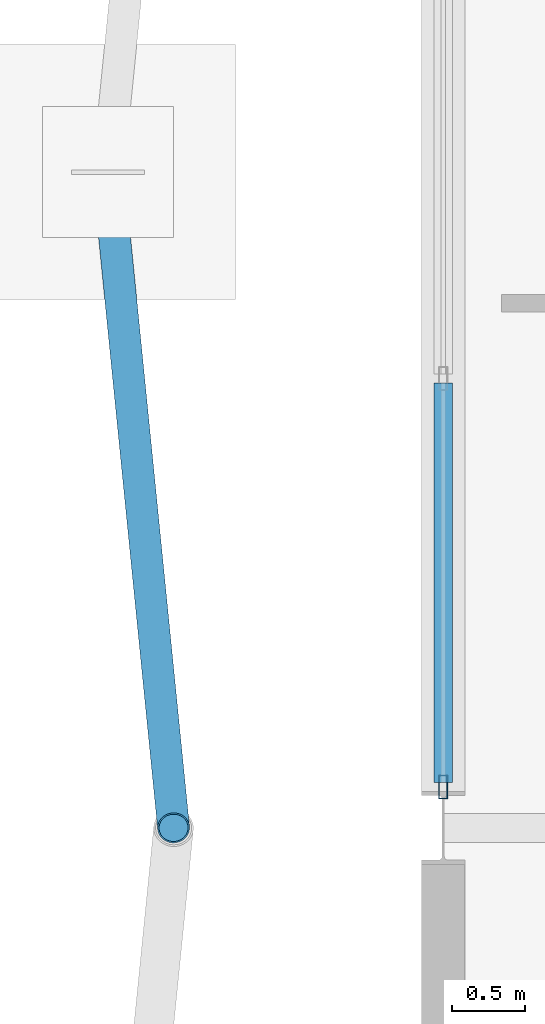
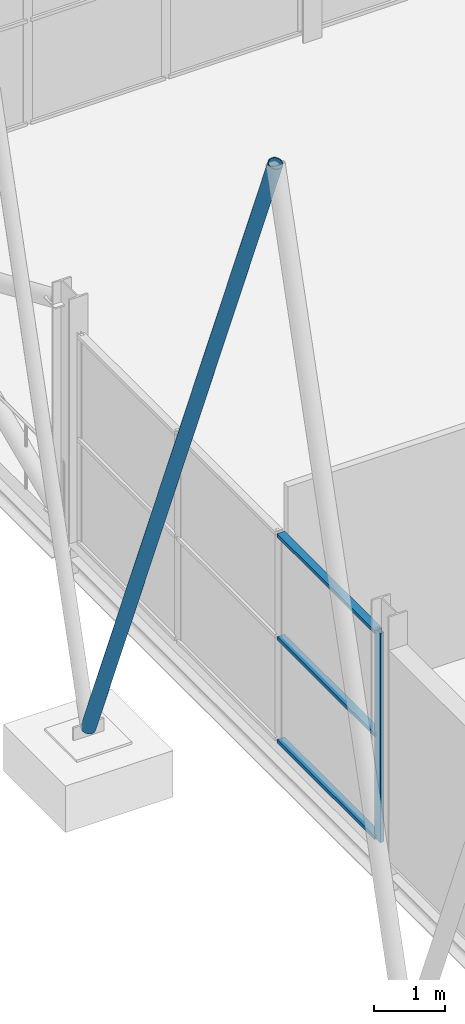
# One storey, part 67 of 140: 5 members, 1 element without a shape of its own.
"""IFC4 building model written with IfcOpenShell, lengths in metres."""

from ifc_helpers import new_model, si_unit, direction, frame, origin, origin_2d, place, context, subcontext, project, spatial, hollow_rectangle, hollow_circle, extrude, material, layer, layer_set, material_profile, profile_set, type_object, element, aggregate, save


model = new_model("IFC4")

# Units and contexts
model_context = context("Model", 3, precision=1e-05, world=origin(), true_north=direction((0.0, 1.0)))
body_context = subcontext(model_context, "Body", "Model", "MODEL_VIEW")
ifc_project = project(units=[si_unit("LENGTHUNIT", "METRE"), si_unit("AREAUNIT", "SQUARE_METRE"), si_unit("VOLUMEUNIT", "CUBIC_METRE"), si_unit("PLANEANGLEUNIT", "RADIAN"), si_unit("MASSUNIT", "GRAM", prefix="KILO")], contexts=[model_context])

# Site, building, storey
site_placement = place(None, origin())
site = spatial("IfcSite", under=ifc_project, at=site_placement, CompositionType="ELEMENT")
building_placement = place(site_placement, origin())
building = spatial("IfcBuilding", under=site, at=building_placement, Name="Deido Ridge Mobility Hub", CompositionType="ELEMENT")
storey_placement = place(building_placement, origin())
storey = spatial("IfcBuildingStorey", under=building, at=storey_placement, Name="L00", CompositionType="ELEMENT", Elevation=0.0)

# Member
ifc_material_1 = material(Name="Steel S355J2H EN 10210-1", Category="steel")
ifc_material_profile_1 = material_profile(ifc_material_1, hollow_circle(Radius=0.109619140625, WallThickness=0.010009765625, at=origin_2d()), Name="CHS 219.1x10")
ifc_profile_set_1 = profile_set([ifc_material_profile_1], Name="Steel S355J2H EN 10210-1")
member_type_1 = type_object("IfcMemberType", Name="MEM-BRC-CHS219", PredefinedType="BRACE", material=ifc_profile_set_1)
member_1_placement = place(storey_placement, frame((-2.300048828125, 67.5, 0.1650390625), z_axis=(0.034371308104, -0.343750380348, 0.938431824476), x_axis=(0.995038259148, 0.099493029059, 0.0)))
element("IfcMember", 1, at=member_1_placement, inside=storey, type_object=member_type_1, Name="Deconstructivist exoskeleton raked V-strut BR2", PredefinedType="BRACE", context=body_context, shape_type="SweptSolid", body=[
    extrude(hollow_circle(Radius=0.109619140625, WallThickness=0.010009765625, at=origin_2d()), origin(), (0.0, 0.0, 1.0), 13.0908203125),
])

# Curtain wall, members
ifc_material_2 = material(Name="Anodised aluminium EN AW-6063 T6", Category="aluminium")
ifc_layer = layer(ifc_material_2, 0.195068359375, Name="Anodised aluminium EN AW-6063 T6")
ifc_layer_set = layer_set([ifc_layer], Name="Anodised aluminium EN AW-6063 T6")
curtain_wall_type = type_object("IfcCurtainWallType", Name="CW-UF-3", PredefinedType="USERDEFINED", material=ifc_layer_set)
curtain_wall_placement = place(storey_placement, origin())
curtain_wall = element("IfcCurtainWall", 2, at=curtain_wall_placement, inside=storey, type_object=curtain_wall_type, Name="Unitised curtain wall CW3", ObjectType="UNITISED FACADE", PredefinedType="USERDEFINED")
ifc_material_profile_2 = material_profile(ifc_material_2, hollow_rectangle(XDim=0.06005859375, YDim=0.159912109375, WallThickness=0.00390625, at=origin_2d()), Name="RHS 60x160x4")
ifc_profile_set_2 = profile_set([ifc_material_profile_2], Name="Anodised aluminium EN AW-6063 T6")
member_type_2 = type_object("IfcMemberType", Name="MEM-MUL-60X160", PredefinedType="MULLION", material=ifc_profile_set_2)
member_2_placement = place(storey_placement, frame((0.0, 63.280029296875, 0.0), z_axis=(0.0, 0.0, 1.0), x_axis=(-1.0, 0.0, 0.0)))
member_2 = element("IfcMember", 3, at=member_2_placement, type_object=member_type_2, Name="CW3 mullion 1", PredefinedType="MULLION", context=body_context, shape_type="SweptSolid", body=[
    extrude(hollow_rectangle(XDim=0.06005859375, YDim=0.159912109375, WallThickness=0.00390625, at=origin_2d()), origin(), (0.0, 0.0, 1.0), 3.60009765625),
])
ifc_material_profile_3 = material_profile(ifc_material_2, hollow_rectangle(XDim=0.125, YDim=0.06005859375, WallThickness=0.00390625, at=origin_2d()), Name="RHS 125x60x4")
ifc_profile_set_3 = profile_set([ifc_material_profile_3], Name="Anodised aluminium EN AW-6063 T6")
member_type_3 = type_object("IfcMemberType", Name="MEM-TRN-125X60", PredefinedType="USERDEFINED", material=ifc_profile_set_3)
member_3_placement = place(storey_placement, frame((0.0, 63.31005859375, 0.030029296875), z_axis=(0.0, 1.0, 0.0), x_axis=(-1.0, 0.0, 0.0)))
member_3 = element("IfcMember", 4, at=member_3_placement, type_object=member_type_3, Name="CW3 transom 1.1", ObjectType="TRANSOM", PredefinedType="USERDEFINED", context=body_context, shape_type="SweptSolid", body=[
    extrude(hollow_rectangle(XDim=0.125, YDim=0.06005859375, WallThickness=0.00390625, at=origin_2d()), origin(), (0.0, 0.0, 1.0), 2.7431640625),
])
member_4_placement = place(storey_placement, frame((0.0, 63.31005859375, 1.800048828125), z_axis=(0.0, 1.0, 0.0), x_axis=(-1.0, 0.0, 0.0)))
member_4 = element("IfcMember", 5, at=member_4_placement, type_object=member_type_3, Name="CW3 transom 1.2", ObjectType="TRANSOM", PredefinedType="USERDEFINED", context=body_context, shape_type="SweptSolid", body=[
    extrude(hollow_rectangle(XDim=0.125, YDim=0.06005859375, WallThickness=0.00390625, at=origin_2d()), origin(), (0.0, 0.0, 1.0), 2.7431640625),
])
member_5_placement = place(storey_placement, frame((0.0, 63.31005859375, 3.570068359375), z_axis=(0.0, 1.0, 0.0), x_axis=(-1.0, 0.0, 0.0)))
member_5 = element("IfcMember", 6, at=member_5_placement, type_object=member_type_3, Name="CW3 transom 1.3", ObjectType="TRANSOM", PredefinedType="USERDEFINED", context=body_context, shape_type="SweptSolid", body=[
    extrude(hollow_rectangle(XDim=0.125, YDim=0.06005859375, WallThickness=0.00390625, at=origin_2d()), origin(), (0.0, 0.0, 1.0), 2.7431640625),
])
aggregate(curtain_wall, [member_2, member_3, member_4, member_5])

save(model, "model.ifc")
